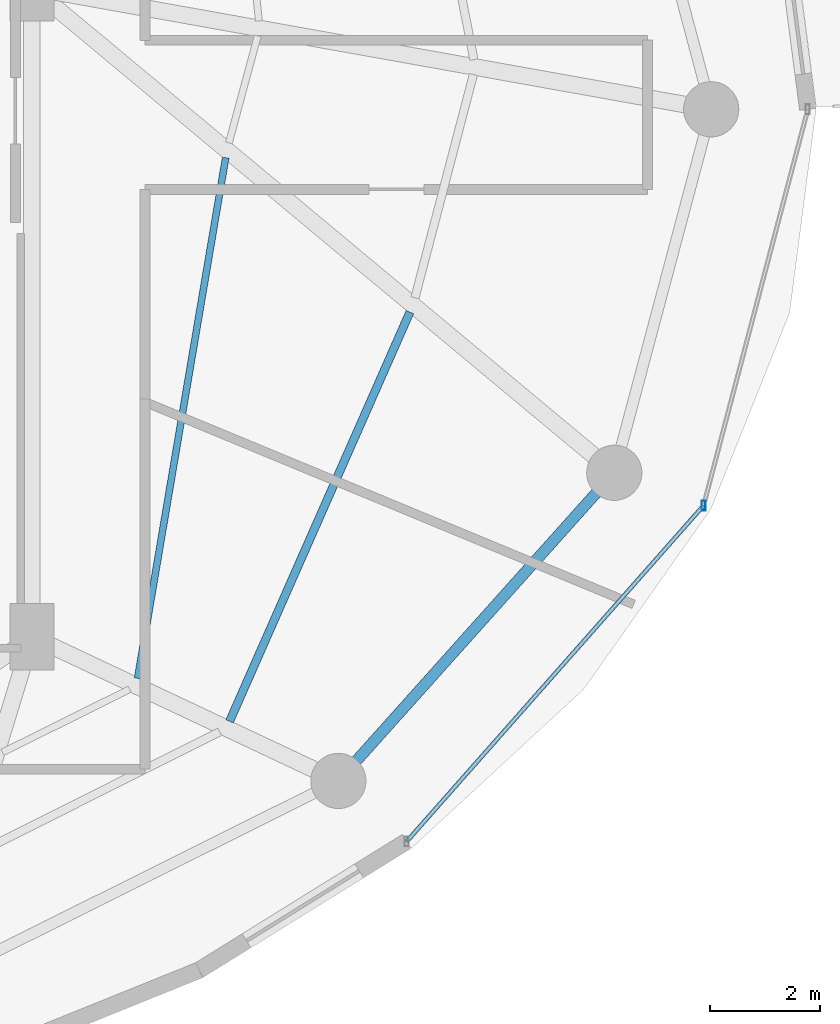
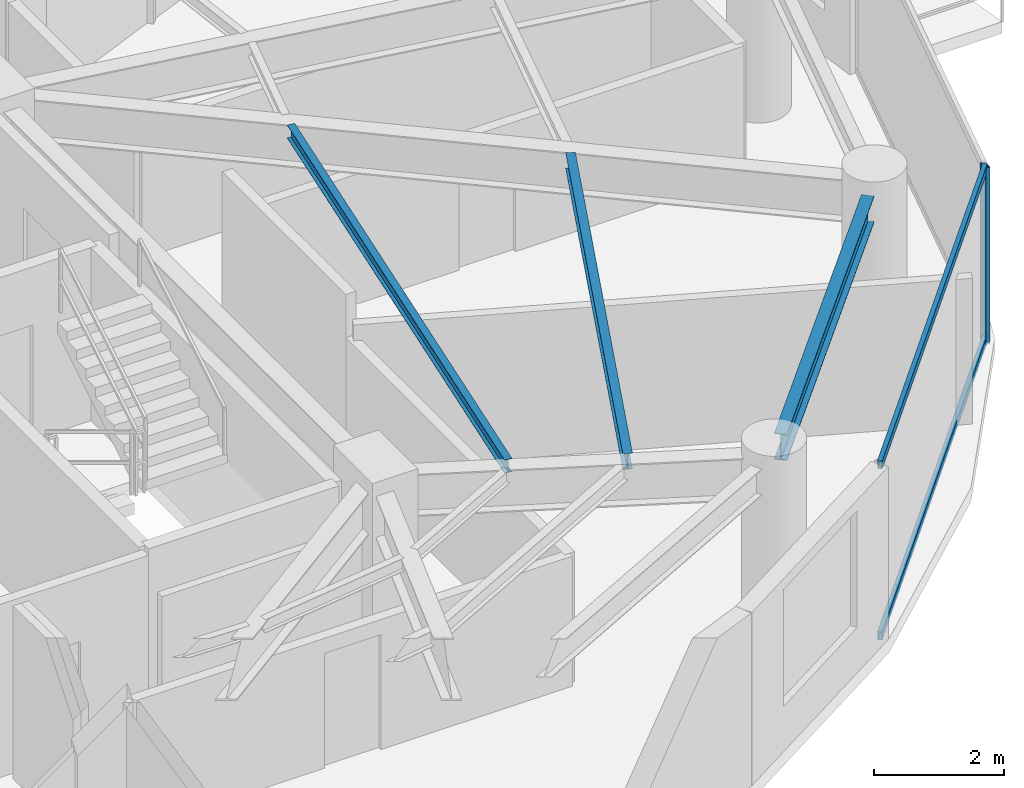
# One storey, part 11 of 28: 3 beams, 3 members, 1 element without a shape of its own.
"""IFC4 building model written with IfcOpenShell, lengths in metres."""

from ifc_helpers import new_model, si_unit, direction, frame, origin, origin_2d, place, context, subcontext, project, spatial, hollow_rectangle, i_section, extrude, material, material_profile, profile_set, type_object, element, aggregate, save


model = new_model("IFC4")

# Units and contexts
model_context = context("Model", 3, precision=1e-05, world=origin(), true_north=direction((0.0, 1.0)))
body_context = subcontext(model_context, "Body", "Model", "MODEL_VIEW")
ifc_project = project(units=[si_unit("LENGTHUNIT", "METRE"), si_unit("AREAUNIT", "SQUARE_METRE"), si_unit("VOLUMEUNIT", "CUBIC_METRE"), si_unit("PLANEANGLEUNIT", "RADIAN"), si_unit("MASSUNIT", "GRAM", prefix="KILO")], contexts=[model_context])

# Site, building, storey
site_placement = place(None, origin())
site = spatial("IfcSite", under=ifc_project, at=site_placement, CompositionType="ELEMENT")
building_placement = place(site_placement, origin())
building = spatial("IfcBuilding", under=site, at=building_placement, Name="Vorneva Point Tower", CompositionType="ELEMENT")
storey_placement = place(building_placement, frame((0.0, 0.0, 146.60009765625)))
storey = spatial("IfcBuildingStorey", under=building, at=storey_placement, Name="L39", CompositionType="ELEMENT", Elevation=146.60009765625)

# Beams
ifc_material_1 = material(Name="Steel S355", Category="steel")
ifc_material_profile_1 = material_profile(ifc_material_1, i_section(OverallWidth=0.1240234375, OverallDepth=0.248046875, WebThickness=0.0048828125, FlangeThickness=0.008056640625, at=origin_2d()), Name="25B1")
ifc_profile_set_1 = profile_set([ifc_material_profile_1], Name="Steel S355")
beam_type_1 = type_object("IfcBeamType", Name="BM-JST-25B1", PredefinedType="JOIST", material=ifc_profile_set_1)
beam_1_placement = place(storey_placement, frame((50.66455078125, 15.695556640625, 3.115966796875), z_axis=(0.166688356069, 0.98600963076, 0.0), x_axis=(-0.98600963076, 0.166688356069, 0.0)))
element("IfcBeam", 1, at=beam_1_placement, inside=storey, type_object=beam_type_1, Name="L39 Secondary Floor Beam 2.15", PredefinedType="JOIST", context=body_context, shape_type="SweptSolid", body=[
    extrude(i_section(OverallWidth=0.1240234375, OverallDepth=0.248046875, WebThickness=0.0048828125, FlangeThickness=0.008056640625, at=origin_2d()), origin(), (0.0, 0.0, 1.0), 9.561279296875),
])
ifc_material_profile_2 = material_profile(ifc_material_1, i_section(OverallWidth=0.14892578125, OverallDepth=0.298095703125, WebThickness=0.005615234375, FlangeThickness=0.008056640625, at=origin_2d()), Name="30B1")
ifc_profile_set_2 = profile_set([ifc_material_profile_2], Name="Steel S355")
beam_type_2 = type_object("IfcBeamType", Name="BM-JST-30B1", PredefinedType="JOIST", material=ifc_profile_set_2)
beam_2_placement = place(storey_placement, frame((52.3291015625, 14.91748046875, 3.0908203125), z_axis=(0.403294264682, 0.915070344878, 0.0), x_axis=(-0.915070344878, 0.403294264682, 0.0)))
element("IfcBeam", 2, at=beam_2_placement, inside=storey, type_object=beam_type_2, Name="L39 Secondary Floor Beam 1.15", PredefinedType="JOIST", context=body_context, shape_type="SweptSolid", body=[
    extrude(i_section(OverallWidth=0.14892578125, OverallDepth=0.298095703125, WebThickness=0.005615234375, FlangeThickness=0.008056640625, at=origin_2d()), origin(), (0.0, 0.0, 1.0), 8.097412109375),
])
ifc_material_profile_3 = material_profile(ifc_material_1, i_section(OverallWidth=0.199951171875, OverallDepth=0.491943359375, WebThickness=0.0087890625, FlangeThickness=0.011962890625, at=origin_2d()), Name="50B1")
ifc_profile_set_3 = profile_set([ifc_material_profile_3], Name="Steel S355")
beam_type_3 = type_object("IfcBeamType", Name="BM-SPN-50B1", PredefinedType="SPANDREL", material=ifc_profile_set_3)
beam_3_placement = place(storey_placement, frame((54.622314453125, 14.19921875, 2.993896484375), z_axis=(0.667111118975, 0.74495822362, 0.0), x_axis=(-0.74495822362, 0.667111118975, 0.0)))
element("IfcBeam", 3, at=beam_3_placement, inside=storey, type_object=beam_type_3, Name="L39 Perimeter Spandrel Ring Beam 15", PredefinedType="SPANDREL", context=body_context, shape_type="SweptSolid", body=[
    extrude(i_section(OverallWidth=0.199951171875, OverallDepth=0.491943359375, WebThickness=0.0087890625, FlangeThickness=0.011962890625, at=origin_2d()), origin(), (0.0, 0.0, 1.0), 6.52001953125),
])

# Curtain wall, members
ifc_material_2 = material(Name="Pale anodised aluminium", Category="aluminium")
curtain_wall_type = type_object("IfcCurtainWallType", Name="CW-RES-SYS", PredefinedType="NOTDEFINED", material=ifc_material_2)
curtain_wall_placement = place(storey_placement, origin())
curtain_wall = element("IfcCurtainWall", 4, at=curtain_wall_placement, inside=storey, type_object=curtain_wall_type, Name="L39 Unitised Curtain Wall CW-L39-R04", PredefinedType="NOTDEFINED")
ifc_material_profile_4 = material_profile(ifc_material_2, hollow_rectangle(XDim=0.074951171875, YDim=0.179931640625, WallThickness=0.00390625, at=origin_2d()), Name="AL-MUL 180x75x4")
ifc_profile_set_4 = profile_set([ifc_material_profile_4], Name="Pale anodised aluminium")
member_type_1 = type_object("IfcMemberType", Name="CW-MUL-180", PredefinedType="MULLION", material=ifc_profile_set_4)
member_1_placement = place(storey_placement, frame((60.912109375, 18.82470703125, -0.0400390625), z_axis=(0.0, 0.0, 1.0), x_axis=(1.0, 0.0, 0.0)))
member_1 = element("IfcMember", 5, at=member_1_placement, type_object=member_type_1, Name="CW-L39-R04 Mullion 02", PredefinedType="MULLION", context=body_context, shape_type="SweptSolid", body=[
    extrude(hollow_rectangle(XDim=0.074951171875, YDim=0.179931640625, WallThickness=0.00390625, at=origin_2d()), origin(), (0.0, 0.0, 1.0), 3.31005859375),
])
ifc_material_profile_5 = material_profile(ifc_material_2, hollow_rectangle(XDim=0.074951171875, YDim=0.14990234375, WallThickness=0.00390625, at=origin_2d()), Name="AL-TRN 150x75x4")
ifc_profile_set_5 = profile_set([ifc_material_profile_5], Name="Pale anodised aluminium")
member_type_2 = type_object("IfcMemberType", Name="CW-TRN-150", PredefinedType="USERDEFINED", material=ifc_profile_set_5)
member_2_placement = place(storey_placement, frame((55.5361328125, 12.74169921875, 0.02001953125), z_axis=(0.662218216609, 0.749311039283, 0.0), x_axis=(-0.749311039283, 0.662218216609, 0.0)))
member_2 = element("IfcMember", 6, at=member_2_placement, type_object=member_type_2, Name="CW-L39-R04 Transom 01.1", ObjectType="TRANSOM", PredefinedType="USERDEFINED", context=body_context, shape_type="SweptSolid", body=[
    extrude(hollow_rectangle(XDim=0.074951171875, YDim=0.14990234375, WallThickness=0.00390625, at=origin_2d()), origin(), (0.0, 0.0, 1.0), 8.1181640625),
])
member_3_placement = place(storey_placement, frame((55.5361328125, 12.74169921875, 3.219970703125), z_axis=(0.662218216609, 0.749311039283, 0.0), x_axis=(-0.749311039283, 0.662218216609, 0.0)))
member_3 = element("IfcMember", 7, at=member_3_placement, type_object=member_type_2, Name="CW-L39-R04 Transom 01.2", ObjectType="TRANSOM", PredefinedType="USERDEFINED", context=body_context, shape_type="SweptSolid", body=[
    extrude(hollow_rectangle(XDim=0.074951171875, YDim=0.14990234375, WallThickness=0.00390625, at=origin_2d()), origin(), (0.0, 0.0, 1.0), 8.1181640625),
])
aggregate(curtain_wall, [member_1, member_2, member_3])

save(model, "model.ifc")
